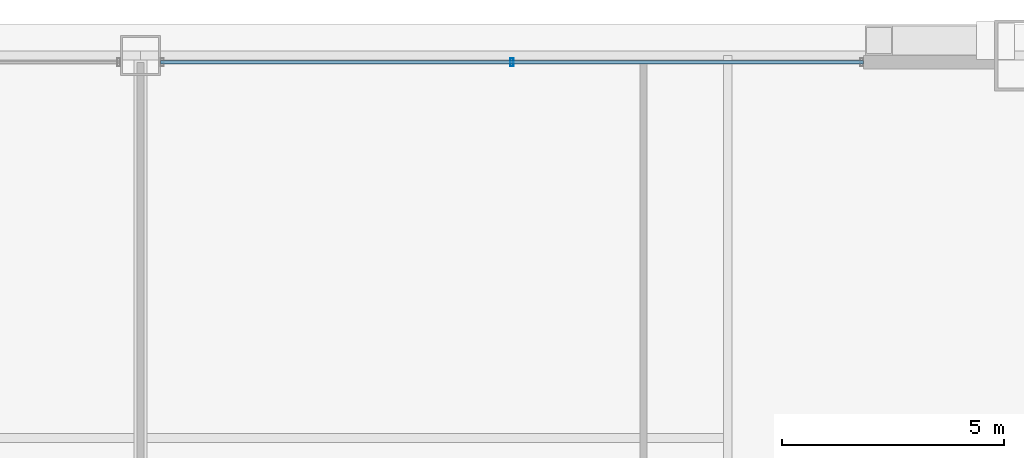
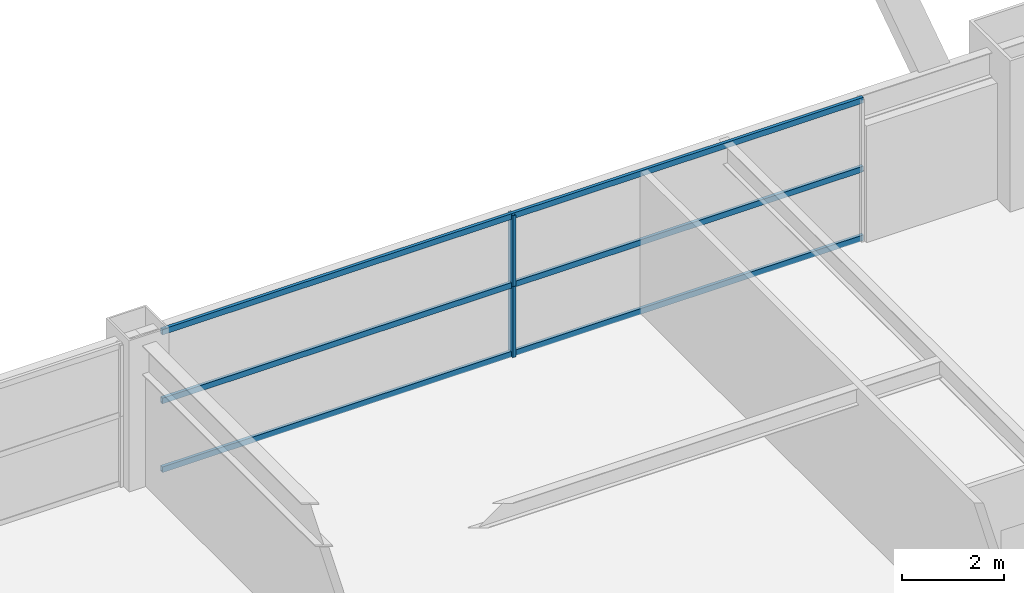
# One storey, part 35 of 43: 5 members, 1 element without a shape of its own.
"""IFC4 building model written with IfcOpenShell, lengths in metres."""

from ifc_helpers import new_model, si_unit, direction, frame, origin, origin_2d, place, context, subcontext, project, spatial, hollow_rectangle, extrude, source, transform, mapped, material, layer, layer_set, material_profile, profile_set, type_object, element, aggregate, save


model = new_model("IFC4")

# Units and contexts
model_context = context("Model", 3, precision=1e-05, world=origin(), true_north=direction((0.0, 1.0)))
body_context = subcontext(model_context, "Body", "Model", "MODEL_VIEW")
ifc_project = project(units=[si_unit("LENGTHUNIT", "METRE"), si_unit("AREAUNIT", "SQUARE_METRE"), si_unit("VOLUMEUNIT", "CUBIC_METRE"), si_unit("PLANEANGLEUNIT", "RADIAN"), si_unit("MASSUNIT", "GRAM", prefix="KILO"), si_unit("THERMODYNAMICTEMPERATUREUNIT", "KELVIN"), si_unit("POWERUNIT", "WATT")], contexts=[model_context])

# Site, building, storey
site_placement = place(None, origin())
site = spatial("IfcSite", under=ifc_project, at=site_placement, CompositionType="ELEMENT")
building_placement = place(site_placement, origin())
building = spatial("IfcBuilding", under=site, at=building_placement, Name="Yuzanri Waterfront Tower", CompositionType="ELEMENT")
storey_placement = place(building_placement, frame((0.0, 0.0, 108.199951171875)))
storey = spatial("IfcBuildingStorey", under=building, at=storey_placement, Name="L28", CompositionType="ELEMENT", Elevation=108.199951171875)

# Curtain wall, members
ifc_material_1 = material(Name="Anodized Architectural Bronze", Category="metal")
ifc_layer = layer(ifc_material_1, 0.159912109375)
ifc_layer_set = layer_set([ifc_layer], Name="Anodized Architectural Bronze")
curtain_wall_type = type_object("IfcCurtainWallType", Name="Anodized Bronze Hotel Upper-Tier Solar-Control Unitized Curtain Wall 7800", PredefinedType="NOTDEFINED", material=ifc_layer_set)
curtain_wall_placement = place(storey_placement, origin())
curtain_wall = element("IfcCurtainWall", 1, at=curtain_wall_placement, inside=storey, type_object=curtain_wall_type, Name="L28 Curtain Wall CW-L28-NR", PredefinedType="NOTDEFINED")
ifc_material_2 = material(Name="Anodized Architectural Bronze", Category="metal")
ifc_material_profile_1 = material_profile(ifc_material_2, hollow_rectangle(XDim=0.070068359375, YDim=0.179931640625, WallThickness=0.00390625, at=origin_2d()), Name="CWM 70x180")
ifc_profile_set_1 = profile_set([ifc_material_profile_1], Name="Anodized Architectural Bronze")
member_type_1 = type_object("IfcMemberType", Name="Anodized Bronze Standard Curtain-Wall Mullion 70x180", PredefinedType="MULLION", material=ifc_profile_set_1)
shared_shape_1 = source(origin(), body_context, "Body", "SweptSolid", [
    extrude(hollow_rectangle(XDim=0.070068359375, YDim=0.179931640625, WallThickness=0.00390625, at=origin_2d()), origin(), (0.0, 0.0, 1.0), 1.68798828125),
])
member_1_placement = place(storey_placement, frame((45.35009765625, 49.25, 0.0), z_axis=(0.0, 0.0, 1.0), x_axis=(1.0, 0.0, 0.0)))
member_1 = element("IfcMember", 2, at=member_1_placement, type_object=member_type_1, Name="CW-L28-NR Lower Mullion 01", PredefinedType="MULLION", context=body_context, shape_type="MappedRepresentation", body=[
    mapped(shared_shape_1, transform((0.0, 0.0, 0.0), scale=1.0)),
])
member_2_placement = place(storey_placement, frame((45.35009765625, 49.25, 1.692138671875), z_axis=(0.0, 0.0, 1.0), x_axis=(1.0, 0.0, 0.0)))
member_2 = element("IfcMember", 3, at=member_2_placement, type_object=member_type_1, Name="CW-L28-NR Upper Mullion 01", PredefinedType="MULLION", context=body_context, shape_type="MappedRepresentation", body=[
    mapped(shared_shape_1, transform((0.0, 0.0, 0.0), scale=1.0)),
])
ifc_material_3 = material(Name="Anodized Architectural Bronze", Category="metal")
ifc_material_profile_2 = material_profile(ifc_material_3, hollow_rectangle(XDim=0.070068359375, YDim=0.135009765625, WallThickness=0.00341796875, at=origin_2d()), Name="CWT 70x135")
ifc_profile_set_2 = profile_set([ifc_material_profile_2], Name="Anodized Architectural Bronze")
member_type_2 = type_object("IfcMemberType", Name="Anodized Bronze Standard Curtain-Wall Transom 70x135", PredefinedType="USERDEFINED", material=ifc_profile_set_2)
shared_shape_2 = source(origin(), body_context, "Body", "SweptSolid", [
    extrude(hollow_rectangle(XDim=0.070068359375, YDim=0.135009765625, WallThickness=0.00341796875, at=origin_2d()), origin(), (0.0, 0.0, 1.0), 15.800048828125),
])
member_3_placement = place(storey_placement, frame((37.449951171875, 49.25, 0.050048828125), z_axis=(1.0, 0.0, 0.0), x_axis=(0.0, 1.0, 0.0)))
member_3 = element("IfcMember", 4, at=member_3_placement, type_object=member_type_2, Name="CW-L28-NR Transom 1", ObjectType="TRANSOM", PredefinedType="USERDEFINED", context=body_context, shape_type="MappedRepresentation", body=[
    mapped(shared_shape_2, transform((0.0, 0.0, 0.0), scale=1.0)),
])
member_4_placement = place(storey_placement, frame((37.449951171875, 49.25, 1.68994140625), z_axis=(1.0, 0.0, 0.0), x_axis=(0.0, 1.0, 0.0)))
member_4 = element("IfcMember", 5, at=member_4_placement, type_object=member_type_2, Name="CW-L28-NR Transom 2", ObjectType="TRANSOM", PredefinedType="USERDEFINED", context=body_context, shape_type="MappedRepresentation", body=[
    mapped(shared_shape_2, transform((0.0, 0.0, 0.0), scale=1.0)),
])
member_5_placement = place(storey_placement, frame((37.449951171875, 49.25, 3.330078125), z_axis=(1.0, 0.0, 0.0), x_axis=(0.0, 1.0, 0.0)))
member_5 = element("IfcMember", 6, at=member_5_placement, type_object=member_type_2, Name="CW-L28-NR Transom 3", ObjectType="TRANSOM", PredefinedType="USERDEFINED", context=body_context, shape_type="MappedRepresentation", body=[
    mapped(shared_shape_2, transform((0.0, 0.0, 0.0), scale=1.0)),
])
aggregate(curtain_wall, [member_1, member_2, member_3, member_4, member_5])

save(model, "model.ifc")
